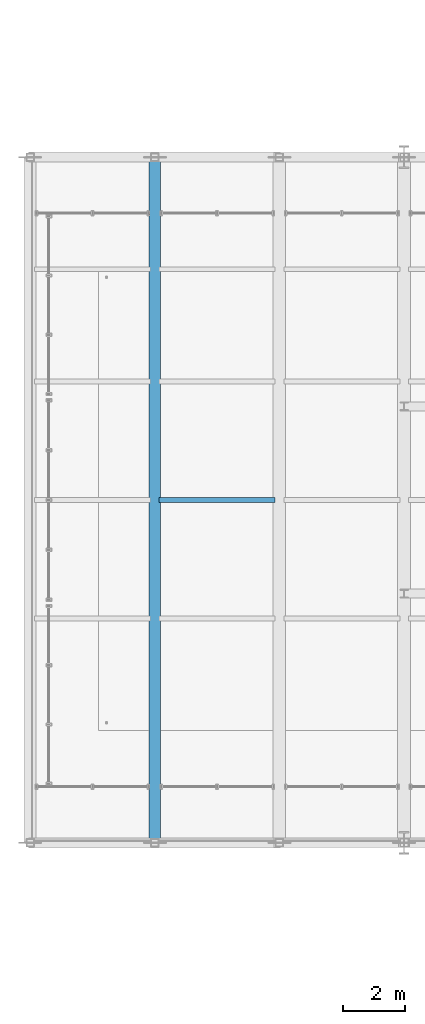
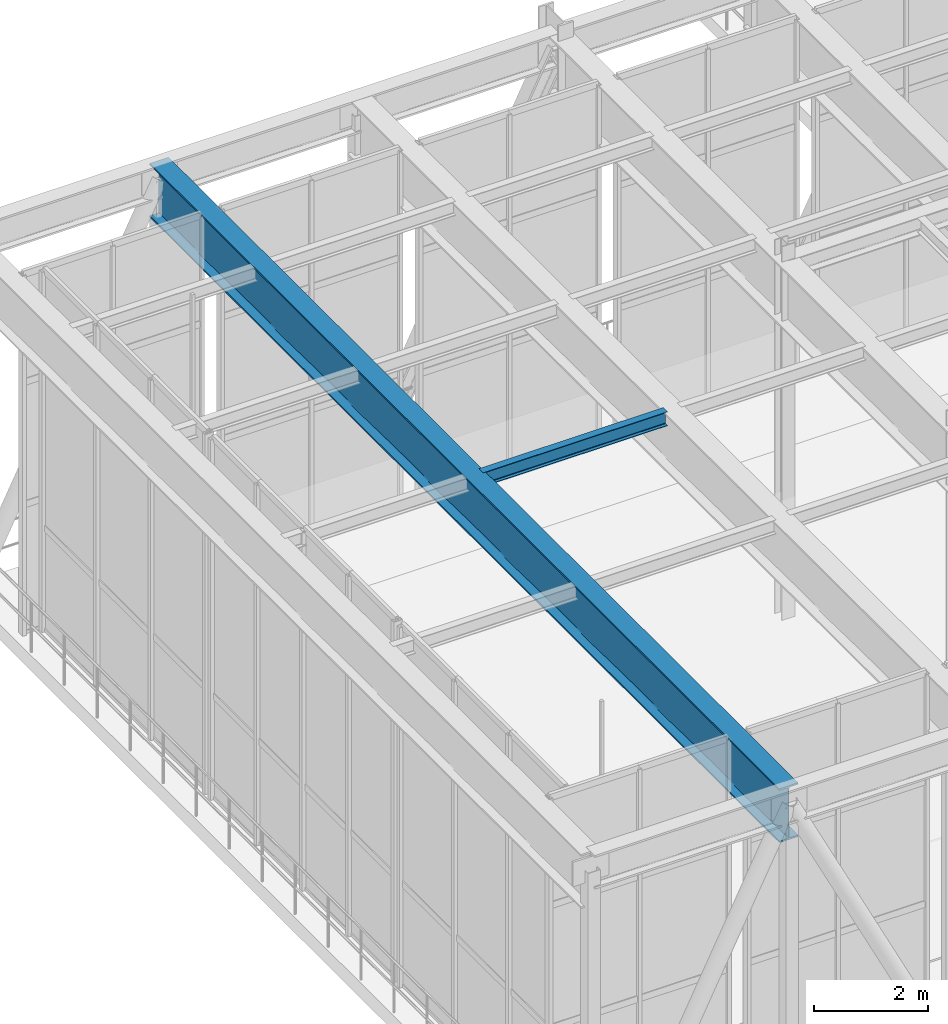
# One storey, part 25 of 138: 2 beams.
"""IFC4 building model written with IfcOpenShell, lengths in metres."""

from ifc_helpers import new_model, si_unit, direction, frame, origin, origin_2d, place, context, subcontext, project, spatial, i_section, extrude, material, material_profile, profile_set, type_object, element, save


model = new_model("IFC4")

# Units and contexts
model_context = context("Model", 3, precision=1e-05, world=origin(), true_north=direction((0.0, 1.0)))
body_context = subcontext(model_context, "Body", "Model", "MODEL_VIEW")
ifc_project = project(units=[si_unit("LENGTHUNIT", "METRE"), si_unit("AREAUNIT", "SQUARE_METRE"), si_unit("VOLUMEUNIT", "CUBIC_METRE"), si_unit("PLANEANGLEUNIT", "RADIAN"), si_unit("MASSUNIT", "GRAM", prefix="KILO")], contexts=[model_context])

# Site, building, storey
site_placement = place(None, origin())
site = spatial("IfcSite", under=ifc_project, at=site_placement, CompositionType="ELEMENT")
building_placement = place(site_placement, origin())
building = spatial("IfcBuilding", under=site, at=building_placement, Name="Sundkrona Museum", CompositionType="ELEMENT")
storey_placement = place(building_placement, frame((0.0, 0.0, 9.60009765625)))
storey = spatial("IfcBuildingStorey", under=building, at=storey_placement, Name="L02", CompositionType="ELEMENT", Elevation=9.60009765625)

# Beams
ifc_material_1 = material(Name="Steel S355J2", Category="steel")
ifc_material_profile_1 = material_profile(ifc_material_1, i_section(OverallWidth=0.14990234375, OverallDepth=0.300048828125, WebThickness=0.007080078125, FlangeThickness=0.0107421875, FilletRadius=0.014892578125, at=origin_2d()), Name="IPE 300")
ifc_profile_set_1 = profile_set([ifc_material_profile_1], Name="Steel S355J2")
beam_type_1 = type_object("IfcBeamType", Name="J-IPE300", PredefinedType="JOIST", material=ifc_profile_set_1)
beam_1_placement = place(storey_placement, frame((8.139892578125, 43.0, 7.52490234375), z_axis=(1.0, 0.0, 0.0), x_axis=(0.0, 1.0, 0.0)))
element("IfcBeam", 1, at=beam_1_placement, inside=storey, type_object=beam_type_1, Name="L02 Cantilever Floor Joist", PredefinedType="JOIST", context=body_context, shape_type="SweptSolid", body=[
    extrude(i_section(OverallWidth=0.14990234375, OverallDepth=0.300048828125, WebThickness=0.007080078125, FlangeThickness=0.0107421875, FilletRadius=0.014892578125, at=origin_2d()), origin(), (0.0, 0.0, 1.0), 3.72021484375),
])
ifc_material_2 = material(Name="Steel S460M", Category="steel")
ifc_material_profile_2 = material_profile(ifc_material_2, i_section(OverallWidth=0.3798828125, OverallDepth=1.14990234375, WebThickness=0.01806640625, FlangeThickness=0.033935546875, FilletRadius=0.02392578125, at=origin_2d()), Name="PG 1150x380")
ifc_profile_set_2 = profile_set([ifc_material_profile_2], Name="Steel S460M")
beam_type_2 = type_object("IfcBeamType", Name="TG-HEB700", PredefinedType="USERDEFINED", material=ifc_profile_set_2)
beam_2_placement = place(storey_placement, frame((8.0, 32.0, 7.099853515625), z_axis=(0.0, 1.0, 0.0), x_axis=(-1.0, 0.0, 0.0)))
element("IfcBeam", 2, at=beam_2_placement, inside=storey, type_object=beam_type_2, Name="TG-2 L02 Cantilever Cross Transfer Girder X=8", ObjectType="TRANSFER GIRDER", PredefinedType="USERDEFINED", context=body_context, shape_type="SweptSolid", body=[
    extrude(i_section(OverallWidth=0.3798828125, OverallDepth=1.14990234375, WebThickness=0.01806640625, FlangeThickness=0.033935546875, FilletRadius=0.02392578125, at=origin_2d()), origin(), (0.0, 0.0, 1.0), 22.0),
])

save(model, "model.ifc")
